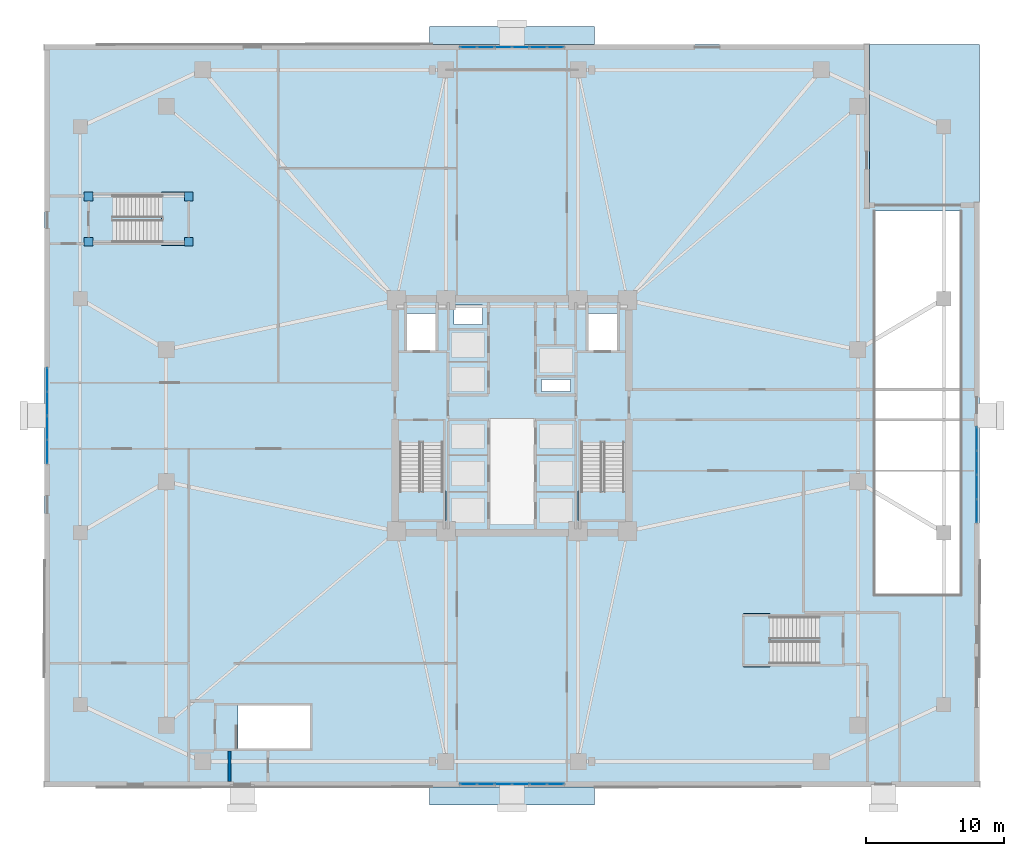
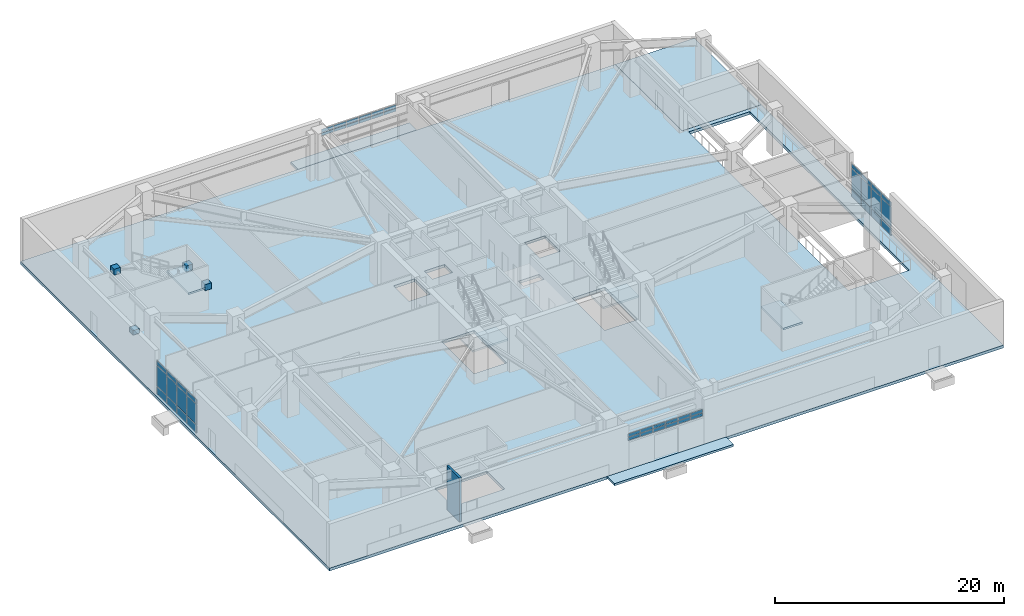
# One storey, part 8 of 21: 52 plates, 8 slabs, 1 wall, 11 elements without a shape of their own.
"""IFC4 building model written with IfcOpenShell, lengths in metres."""

import ifcopenshell
import ifcopenshell.guid

model = None  # the IFC model being written
_history = None  # IfcOwnerHistory: only IFC2X3 demands one
_inside = {}  # id of a spatial element -> (the spatial element, [elements in it])
_under = {}  # id of a project, library or spatial element -> (it, [spatial elements below it])
_declared = {}  # id of a project -> (the project, [libraries it declares])
_typed = {}  # id of a type object -> (the type object, [elements of that type])
_made_of = {}  # id of a material, layer set ... -> (it, [elements and type objects made of it])


def new_model(schema):
    """Start an empty IFC model of exactly this schema.

    Asked for "IFC4X3", IfcOpenShell would pick the latest addendum, in which some entities
    have other attributes; the version numbers below select the first issue.
    IFC2X3 requires an IfcOwnerHistory on every rooted entity: one is made here for all.
    """
    global model, _history
    if schema == "IFC4X3":
        model = ifcopenshell.file(schema_version=(4, 3, 0, 0))
    else:
        model = ifcopenshell.file(schema=schema)
    _inside.clear()
    _under.clear()
    _declared.clear()
    _typed.clear()
    _made_of.clear()
    _history = None
    if model.schema == "IFC2X3":
        org = make("IfcOrganization", Name="unknown")
        user = make(
            "IfcPersonAndOrganization",
            ThePerson=make("IfcPerson", FamilyName="unknown"),
            TheOrganization=org,
        )
        app = make(
            "IfcApplication",
            ApplicationDeveloper=org,
            Version="unknown",
            ApplicationFullName="unknown",
            ApplicationIdentifier="unknown",
        )
        _history = make(
            "IfcOwnerHistory",
            OwningUser=user,
            OwningApplication=app,
            ChangeAction="ADDED",
            CreationDate=0,
        )
    return model


def make(cls, **values):
    """One entity of the class cls with the attributes given. An attribute that is None is left unset."""
    return model.create_entity(
        cls, **{name: value for name, value in values.items() if value is not None}
    )


def rooted(cls, **values):
    """An entity with a GlobalId (a new one), such as an element, a storey or a relation."""
    return make(cls, GlobalId=ifcopenshell.guid.new(), OwnerHistory=_history, **values)


def si_unit(unit_type, name, prefix=None):
    """IfcSIUnit, for example si_unit("LENGTHUNIT", "METRE", prefix="MILLI")."""
    return make("IfcSIUnit", UnitType=unit_type, Prefix=prefix, Name=name)


def assignment(units):
    """IfcUnitAssignment: the units of a project."""
    return None if units is None else make("IfcUnitAssignment", Units=units)


def point(xyz):
    """IfcCartesianPoint."""
    return None if xyz is None else make("IfcCartesianPoint", Coordinates=xyz)


def direction(xyz):
    """IfcDirection."""
    return None if xyz is None else make("IfcDirection", DirectionRatios=xyz)


def frame(location, z_axis=None, x_axis=None):
    """IfcAxis2Placement3D, a coordinate frame: its origin and axes. An axis left out is left unset."""
    return make(
        "IfcAxis2Placement3D",
        Location=point(location),
        Axis=direction(z_axis),
        RefDirection=direction(x_axis),
    )


def frame_2d(location, x_axis=None):
    """IfcAxis2Placement2D, a coordinate frame in the plane: its origin and x axis."""
    return make(
        "IfcAxis2Placement2D", Location=point(location), RefDirection=direction(x_axis)
    )


def origin():
    """The frame at (0, 0, 0) with its axes left unset."""
    return frame((0.0, 0.0, 0.0))


def origin_2d():
    """The frame at (0, 0) in the plane with its x axis left unset."""
    return frame_2d((0.0, 0.0))


def place(relative_to, where):
    """IfcLocalPlacement: puts the frame where relative to a parent placement (None: the world)."""
    return make(
        "IfcLocalPlacement", PlacementRelTo=relative_to, RelativePlacement=where
    )


def context(
    kind, dimensions, precision=None, world=None, true_north=None, identifier=None
):
    """IfcGeometricRepresentationContext, for example the 3D "Model" context."""
    return make(
        "IfcGeometricRepresentationContext",
        ContextIdentifier=identifier,
        ContextType=kind,
        CoordinateSpaceDimension=dimensions,
        Precision=precision,
        WorldCoordinateSystem=world,
        TrueNorth=true_north,
    )


def subcontext(parent, identifier, kind, view, scale=None):
    """IfcGeometricRepresentationSubContext, for example "Body" below "Model"."""
    return make(
        "IfcGeometricRepresentationSubContext",
        ContextIdentifier=identifier,
        ContextType=kind,
        ParentContext=parent,
        TargetScale=scale,
        TargetView=view,
    )


def project(units=None, contexts=None):
    """IfcProject with its units and contexts."""
    return rooted(
        "IfcProject",
        Name="project",
        RepresentationContexts=contexts,
        UnitsInContext=assignment(units),
    )


def spatial(cls, under=None, at=None, **own):
    """A site, building, storey or space (cls), placed at a placement, below another one or the project."""
    s = rooted(cls, ObjectPlacement=at, **own)
    if under is not None:
        _under.setdefault(under.id(), (under, []))[1].append(s)
    return s


def polyline(points):
    """IfcPolyline through the points."""
    return make("IfcPolyline", Points=[point(p) for p in points])


def profile(cls, at=None, kind="AREA", **sizes):
    """A parametric profile (cls). Its sizes go by their IFC names, for example OverallWidth=200.0."""
    return make(cls, ProfileType=kind, Position=at, **sizes)


def rectangle(**sizes):
    """IfcRectangleProfileDef."""
    return profile("IfcRectangleProfileDef", **sizes)


def outline(outer, holes=None, kind="AREA"):
    """IfcArbitraryClosedProfileDef: a profile drawn as a closed curve; with holes, ...WithVoids."""
    if holes is None:
        return make("IfcArbitraryClosedProfileDef", ProfileType=kind, OuterCurve=outer)
    return make(
        "IfcArbitraryProfileDefWithVoids",
        ProfileType=kind,
        OuterCurve=outer,
        InnerCurves=holes,
    )


def extrude(swept, where, along, depth):
    """IfcExtrudedAreaSolid: the profile swept, set in the frame where, extruded along a direction by depth."""
    return make(
        "IfcExtrudedAreaSolid",
        SweptArea=swept,
        Position=where,
        ExtrudedDirection=direction(along),
        Depth=depth,
    )


def shape(context_of_items, identifier, shape_type, items):
    """IfcShapeRepresentation: the items that make up one representation, for example the "Body"."""
    return make(
        "IfcShapeRepresentation",
        ContextOfItems=context_of_items,
        RepresentationIdentifier=identifier,
        RepresentationType=shape_type,
        Items=items,
    )


def material(Name=None, Category=None):
    """IfcMaterial."""
    return make("IfcMaterial", Name=Name, Category=Category)


def layer(
    of_material, thickness, ventilated=None, Name=None, Category=None, Priority=None
):
    """IfcMaterialLayer: one layer of a wall or slab, of a material (None: an air gap)."""
    return make(
        "IfcMaterialLayer",
        Material=of_material,
        LayerThickness=thickness,
        IsVentilated=ventilated,
        Name=Name,
        Category=Category,
        Priority=Priority,
    )


def layer_set(layers, Name=None):
    """IfcMaterialLayerSet."""
    return make("IfcMaterialLayerSet", MaterialLayers=layers, LayerSetName=Name)


def made_of(thing, what):
    """Note that an element or type object is made of a material, layer set ...; save() writes the relation."""
    if what is not None:
        _made_of.setdefault(what.id(), (what, []))[1].append(thing)
    return thing


def type_object(cls, material=None, **own):
    """A type object (cls), such as IfcWallType, which elements share."""
    return made_of(rooted(cls, **own), material)


def element(
    cls,
    number,
    at=None,
    inside=None,
    cuts=None,
    type_object=None,
    material=None,
    context=None,
    identifier="Body",
    shape_type=None,
    held_by="IfcProductDefinitionShape",
    body=None,
    shapes=None,
    **own,
):
    """One element of the class cls, such as IfcWall. Its Tag is "e" and its number.

    at: its placement. inside: the storey or other place that contains it. cuts: it is an
    opening in that element (IfcRelVoidsElement). A single representation is given by context,
    identifier, shape_type and body (its items); several are given by shapes. held_by: the class
    of the entity that holds the representations. save() writes the other relations.
    """
    e = rooted(cls, Tag="e%d" % number, ObjectPlacement=at, **own)
    if body is not None:
        shapes = [shape(context, identifier, shape_type, body)]
    if shapes is not None:
        e.Representation = make(held_by, Representations=shapes)
    if inside is not None:
        _inside.setdefault(inside.id(), (inside, []))[1].append(e)
    if cuts is not None:
        rooted(
            "IfcRelVoidsElement", RelatingBuildingElement=cuts, RelatedOpeningElement=e
        )
    if type_object is not None:
        _typed.setdefault(type_object.id(), (type_object, []))[1].append(e)
    return made_of(e, material)


def aggregate(whole, parts):
    """IfcRelAggregates: a whole, such as a stair, and the parts it consists of."""
    return rooted("IfcRelAggregates", RelatingObject=whole, RelatedObjects=parts)


def save(model, path):
    """Write the relations noted so far, then the file.

    IfcRelAggregates (storeys below a building ...), IfcRelContainedInSpatialStructure (elements
    in a storey), IfcRelDefinesByType, IfcRelAssociatesMaterial and IfcRelDeclares: one each for
    every whole, place, type object, material and project.
    """
    for whole, parts in _under.values():
        aggregate(whole, parts)
    for where, things in _inside.values():
        rooted(
            "IfcRelContainedInSpatialStructure",
            RelatedElements=things,
            RelatingStructure=where,
        )
    for kind, things in _typed.values():
        rooted("IfcRelDefinesByType", RelatedObjects=things, RelatingType=kind)
    for what, things in _made_of.values():
        rooted("IfcRelAssociatesMaterial", RelatedObjects=things, RelatingMaterial=what)
    for by, libraries in _declared.values():
        rooted("IfcRelDeclares", RelatingContext=by, RelatedDefinitions=libraries)
    model.write(path)


model = new_model("IFC4")

# Units and contexts
model_context = context("Model", 3, precision=1e-05, world=origin(), true_north=direction((0.0, 1.0)))
body_context = subcontext(model_context, "Body", "Model", "MODEL_VIEW")
ifc_project = project(units=[si_unit("LENGTHUNIT", "METRE"), si_unit("AREAUNIT", "SQUARE_METRE"), si_unit("VOLUMEUNIT", "CUBIC_METRE"), si_unit("PLANEANGLEUNIT", "RADIAN"), si_unit("MASSUNIT", "GRAM", prefix="KILO")], contexts=[model_context])

# Site, building, storey
site_placement = place(None, origin())
site = spatial("IfcSite", under=ifc_project, at=site_placement, CompositionType="ELEMENT")
building_placement = place(site_placement, origin())
building = spatial("IfcBuilding", under=site, at=building_placement, Name="Cairnveth Concourse Tower", CompositionType="ELEMENT")
storey_placement = place(building_placement, origin())
storey = spatial("IfcBuildingStorey", under=building, at=storey_placement, Name="L00", CompositionType="ELEMENT", Elevation=0.0)

# Curtain wall, plates
ifc_material_1 = material(Name="Architectural Bronze Anodised Aluminium 6063-T6", Category="aluminium")
ifc_layer_1 = layer(ifc_material_1, 0.360107421875)
ifc_layer_set_1 = layer_set([ifc_layer_1], Name="Architectural Bronze Anodised Aluminium 6063-T6")
curtain_wall_type_1 = type_object("IfcCurtainWallType", Name="CONCOURSE GALLERIA PORTAL CURTAIN WALL", PredefinedType="USERDEFINED", material=ifc_layer_set_1)
curtain_wall_1_placement = place(storey_placement, origin())
curtain_wall_1 = element("IfcCurtainWall", 1, at=curtain_wall_1_placement, inside=storey, type_object=curtain_wall_type_1, Name="Curtain Wall CW-L00-N-PORTAL1", ObjectType="UNITISED FACADE", PredefinedType="USERDEFINED")
ifc_material_2 = material(Name="Double Glazed Low-E Clear Glass", Category="glass")
ifc_layer_2 = layer(ifc_material_2, 0.028076171875)
ifc_layer_set_2 = layer_set([ifc_layer_2], Name="Double Glazed Low-E Clear Glass")
plate_type_1 = type_object("IfcPlateType", Name="DOUBLE GLAZED LOW-E CURTAIN PANEL 28", PredefinedType="CURTAIN_PANEL", material=ifc_layer_set_2)
plate_1_placement = place(storey_placement, frame((48.839599609375, 65.7900390625, 2.9150390625), z_axis=(0.0, 0.0, 1.0), x_axis=(1.0, 0.0, 0.0)))
plate_1 = element("IfcPlate", 2, at=plate_1_placement, type_object=plate_type_1, Name="CWS1 panel 1.1", PredefinedType="CURTAIN_PANEL", context=body_context, shape_type="SweptSolid", body=[
    extrude(rectangle(XDim=1.17919921875, YDim=0.028076171875, at=origin_2d()), origin(), (0.0, 0.0, 1.0), 0.3154296875),
])
plate_2_placement = place(storey_placement, frame((48.839599609375, 65.7900390625, 3.295654296875), z_axis=(0.0, 0.0, 1.0), x_axis=(1.0, 0.0, 0.0)))
plate_2 = element("IfcPlate", 3, at=plate_2_placement, type_object=plate_type_1, Name="CWS1 panel 1.2", PredefinedType="CURTAIN_PANEL", context=body_context, shape_type="SweptSolid", body=[
    extrude(rectangle(XDim=1.17919921875, YDim=0.028076171875, at=origin_2d()), origin(), (0.0, 0.0, 1.0), 0.3154296875),
])
plate_3_placement = place(storey_placement, frame((50.10009765625, 65.7900390625, 2.9150390625), z_axis=(0.0, 0.0, 1.0), x_axis=(1.0, 0.0, 0.0)))
plate_3 = element("IfcPlate", 4, at=plate_3_placement, type_object=plate_type_1, Name="CWS1 panel 2.1", PredefinedType="CURTAIN_PANEL", context=body_context, shape_type="SweptSolid", body=[
    extrude(rectangle(XDim=1.211669921875, YDim=0.028076171875, at=origin_2d()), origin(), (0.0, 0.0, 1.0), 0.3154296875),
])
plate_4_placement = place(storey_placement, frame((50.10009765625, 65.7900390625, 3.295654296875), z_axis=(0.0, 0.0, 1.0), x_axis=(1.0, 0.0, 0.0)))
plate_4 = element("IfcPlate", 5, at=plate_4_placement, type_object=plate_type_1, Name="CWS1 panel 2.2", PredefinedType="CURTAIN_PANEL", context=body_context, shape_type="SweptSolid", body=[
    extrude(rectangle(XDim=1.211669921875, YDim=0.028076171875, at=origin_2d()), origin(), (0.0, 0.0, 1.0), 0.3154296875),
])
plate_5_placement = place(storey_placement, frame((51.3603515625, 65.7900390625, 2.9150390625), z_axis=(0.0, 0.0, 1.0), x_axis=(1.0, 0.0, 0.0)))
plate_5 = element("IfcPlate", 6, at=plate_5_placement, type_object=plate_type_1, Name="CWS1 panel 3.1", PredefinedType="CURTAIN_PANEL", context=body_context, shape_type="SweptSolid", body=[
    extrude(rectangle(XDim=1.17919921875, YDim=0.028076171875, at=origin_2d()), origin(), (0.0, 0.0, 1.0), 0.3154296875),
])
plate_6_placement = place(storey_placement, frame((51.3603515625, 65.7900390625, 3.295654296875), z_axis=(0.0, 0.0, 1.0), x_axis=(1.0, 0.0, 0.0)))
plate_6 = element("IfcPlate", 7, at=plate_6_placement, type_object=plate_type_1, Name="CWS1 panel 3.2", PredefinedType="CURTAIN_PANEL", context=body_context, shape_type="SweptSolid", body=[
    extrude(rectangle(XDim=1.17919921875, YDim=0.028076171875, at=origin_2d()), origin(), (0.0, 0.0, 1.0), 0.3154296875),
])
aggregate(curtain_wall_1, [plate_1, plate_2, plate_3, plate_4, plate_5, plate_6])

curtain_wall_2_placement = place(storey_placement, origin())
curtain_wall_2 = element("IfcCurtainWall", 8, at=curtain_wall_2_placement, inside=storey, type_object=curtain_wall_type_1, Name="Curtain Wall CW-L00-N-PORTAL2", ObjectType="UNITISED FACADE", PredefinedType="USERDEFINED")
plate_7_placement = place(storey_placement, frame((52.6396484375, 65.7900390625, 2.9150390625), z_axis=(0.0, 0.0, 1.0), x_axis=(1.0, 0.0, 0.0)))
plate_7 = element("IfcPlate", 9, at=plate_7_placement, type_object=plate_type_1, Name="CWS1 panel 1.1", PredefinedType="CURTAIN_PANEL", context=body_context, shape_type="SweptSolid", body=[
    extrude(rectangle(XDim=1.17919921875, YDim=0.028076171875, at=origin_2d()), origin(), (0.0, 0.0, 1.0), 0.3154296875),
])
plate_8_placement = place(storey_placement, frame((52.6396484375, 65.7900390625, 3.295654296875), z_axis=(0.0, 0.0, 1.0), x_axis=(1.0, 0.0, 0.0)))
plate_8 = element("IfcPlate", 10, at=plate_8_placement, type_object=plate_type_1, Name="CWS1 panel 1.2", PredefinedType="CURTAIN_PANEL", context=body_context, shape_type="SweptSolid", body=[
    extrude(rectangle(XDim=1.17919921875, YDim=0.028076171875, at=origin_2d()), origin(), (0.0, 0.0, 1.0), 0.3154296875),
])
plate_9_placement = place(storey_placement, frame((53.89990234375, 65.7900390625, 2.9150390625), z_axis=(0.0, 0.0, 1.0), x_axis=(1.0, 0.0, 0.0)))
plate_9 = element("IfcPlate", 11, at=plate_9_placement, type_object=plate_type_1, Name="CWS1 panel 2.1", PredefinedType="CURTAIN_PANEL", context=body_context, shape_type="SweptSolid", body=[
    extrude(rectangle(XDim=1.211669921875, YDim=0.028076171875, at=origin_2d()), origin(), (0.0, 0.0, 1.0), 0.3154296875),
])
plate_10_placement = place(storey_placement, frame((53.89990234375, 65.7900390625, 3.295654296875), z_axis=(0.0, 0.0, 1.0), x_axis=(1.0, 0.0, 0.0)))
plate_10 = element("IfcPlate", 12, at=plate_10_placement, type_object=plate_type_1, Name="CWS1 panel 2.2", PredefinedType="CURTAIN_PANEL", context=body_context, shape_type="SweptSolid", body=[
    extrude(rectangle(XDim=1.211669921875, YDim=0.028076171875, at=origin_2d()), origin(), (0.0, 0.0, 1.0), 0.3154296875),
])
plate_11_placement = place(storey_placement, frame((55.160400390625, 65.7900390625, 2.9150390625), z_axis=(0.0, 0.0, 1.0), x_axis=(1.0, 0.0, 0.0)))
plate_11 = element("IfcPlate", 13, at=plate_11_placement, type_object=plate_type_1, Name="CWS1 panel 3.1", PredefinedType="CURTAIN_PANEL", context=body_context, shape_type="SweptSolid", body=[
    extrude(rectangle(XDim=1.17919921875, YDim=0.028076171875, at=origin_2d()), origin(), (0.0, 0.0, 1.0), 0.3154296875),
])
plate_12_placement = place(storey_placement, frame((55.160400390625, 65.7900390625, 3.295654296875), z_axis=(0.0, 0.0, 1.0), x_axis=(1.0, 0.0, 0.0)))
plate_12 = element("IfcPlate", 14, at=plate_12_placement, type_object=plate_type_1, Name="CWS1 panel 3.2", PredefinedType="CURTAIN_PANEL", context=body_context, shape_type="SweptSolid", body=[
    extrude(rectangle(XDim=1.17919921875, YDim=0.028076171875, at=origin_2d()), origin(), (0.0, 0.0, 1.0), 0.3154296875),
])
aggregate(curtain_wall_2, [plate_7, plate_8, plate_9, plate_10, plate_11, plate_12])

ifc_layer_3 = layer(ifc_material_1, 0.340087890625)
ifc_layer_set_3 = layer_set([ifc_layer_3], Name="Architectural Bronze Anodised Aluminium 6063-T6")
curtain_wall_type_2 = type_object("IfcCurtainWallType", Name="PODIUM RETAIL SHOPFRONT CURTAIN WALL", PredefinedType="USERDEFINED", material=ifc_layer_set_3)
curtain_wall_3_placement = place(storey_placement, origin())
curtain_wall_3 = element("IfcCurtainWall", 15, at=curtain_wall_3_placement, inside=storey, type_object=curtain_wall_type_2, Name="Curtain Wall CW-L00-E-SHOP1", ObjectType="SHOPFRONT GLAZING", PredefinedType="USERDEFINED")
plate_13_placement = place(storey_placement, frame((85.7900390625, 37.320068359375, 0.06494140625), z_axis=(0.0, 0.0, 1.0), x_axis=(0.0, -1.0, 0.0)))
plate_13 = element("IfcPlate", 16, at=plate_13_placement, type_object=plate_type_1, Name="CWS2 panel 1.1", PredefinedType="CURTAIN_PANEL", context=body_context, shape_type="SweptSolid", body=[
    extrude(rectangle(XDim=1.659912109375, YDim=0.028076171875, at=origin_2d()), origin(), (0.0, 0.0, 1.0), 0.802490234375),
])
plate_14_placement = place(storey_placement, frame((85.7900390625, 37.320068359375, 0.9326171875), z_axis=(0.0, 0.0, 1.0), x_axis=(0.0, -1.0, 0.0)))
plate_14 = element("IfcPlate", 17, at=plate_14_placement, type_object=plate_type_1, Name="CWS2 panel 1.2", PredefinedType="CURTAIN_PANEL", context=body_context, shape_type="SweptSolid", body=[
    extrude(rectangle(XDim=1.659912109375, YDim=0.028076171875, at=origin_2d()), origin(), (0.0, 0.0, 1.0), 2.160888671875),
])
plate_15_placement = place(storey_placement, frame((85.7900390625, 37.320068359375, 3.15869140625), z_axis=(0.0, 0.0, 1.0), x_axis=(0.0, -1.0, 0.0)))
plate_15 = element("IfcPlate", 18, at=plate_15_placement, type_object=plate_type_1, Name="CWS2 panel 1.3", PredefinedType="CURTAIN_PANEL", context=body_context, shape_type="SweptSolid", body=[
    extrude(rectangle(XDim=1.659912109375, YDim=0.028076171875, at=origin_2d()), origin(), (0.0, 0.0, 1.0), 0.452392578125),
])
plate_16_placement = place(storey_placement, frame((85.7900390625, 35.578857421875, 0.06494140625), z_axis=(0.0, 0.0, 1.0), x_axis=(0.0, -1.0, 0.0)))
plate_16 = element("IfcPlate", 19, at=plate_16_placement, type_object=plate_type_1, Name="CWS2 panel 2.1", PredefinedType="CURTAIN_PANEL", context=body_context, shape_type="SweptSolid", body=[
    extrude(rectangle(XDim=1.6923828125, YDim=0.028076171875, at=origin_2d()), origin(), (0.0, 0.0, 1.0), 0.802490234375),
])
plate_17_placement = place(storey_placement, frame((85.7900390625, 35.578857421875, 0.9326171875), z_axis=(0.0, 0.0, 1.0), x_axis=(0.0, -1.0, 0.0)))
plate_17 = element("IfcPlate", 20, at=plate_17_placement, type_object=plate_type_1, Name="CWS2 panel 2.2", PredefinedType="CURTAIN_PANEL", context=body_context, shape_type="SweptSolid", body=[
    extrude(rectangle(XDim=1.6923828125, YDim=0.028076171875, at=origin_2d()), origin(), (0.0, 0.0, 1.0), 2.160888671875),
])
plate_18_placement = place(storey_placement, frame((85.7900390625, 35.578857421875, 3.15869140625), z_axis=(0.0, 0.0, 1.0), x_axis=(0.0, -1.0, 0.0)))
plate_18 = element("IfcPlate", 21, at=plate_18_placement, type_object=plate_type_1, Name="CWS2 panel 2.3", PredefinedType="CURTAIN_PANEL", context=body_context, shape_type="SweptSolid", body=[
    extrude(rectangle(XDim=1.6923828125, YDim=0.028076171875, at=origin_2d()), origin(), (0.0, 0.0, 1.0), 0.452392578125),
])
plate_19_placement = place(storey_placement, frame((85.7900390625, 33.8212890625, 0.06494140625), z_axis=(0.0, 0.0, 1.0), x_axis=(0.0, -1.0, 0.0)))
plate_19 = element("IfcPlate", 22, at=plate_19_placement, type_object=plate_type_1, Name="CWS2 panel 3.1", PredefinedType="CURTAIN_PANEL", context=body_context, shape_type="SweptSolid", body=[
    extrude(rectangle(XDim=1.6923828125, YDim=0.028076171875, at=origin_2d()), origin(), (0.0, 0.0, 1.0), 0.802490234375),
])
plate_20_placement = place(storey_placement, frame((85.7900390625, 33.8212890625, 0.9326171875), z_axis=(0.0, 0.0, 1.0), x_axis=(0.0, -1.0, 0.0)))
plate_20 = element("IfcPlate", 23, at=plate_20_placement, type_object=plate_type_1, Name="CWS2 panel 3.2", PredefinedType="CURTAIN_PANEL", context=body_context, shape_type="SweptSolid", body=[
    extrude(rectangle(XDim=1.6923828125, YDim=0.028076171875, at=origin_2d()), origin(), (0.0, 0.0, 1.0), 2.160888671875),
])
plate_21_placement = place(storey_placement, frame((85.7900390625, 33.8212890625, 3.15869140625), z_axis=(0.0, 0.0, 1.0), x_axis=(0.0, -1.0, 0.0)))
plate_21 = element("IfcPlate", 24, at=plate_21_placement, type_object=plate_type_1, Name="CWS2 panel 3.3", PredefinedType="CURTAIN_PANEL", context=body_context, shape_type="SweptSolid", body=[
    extrude(rectangle(XDim=1.6923828125, YDim=0.028076171875, at=origin_2d()), origin(), (0.0, 0.0, 1.0), 0.452392578125),
])
plate_22_placement = place(storey_placement, frame((85.7900390625, 32.080078125, 0.06494140625), z_axis=(0.0, 0.0, 1.0), x_axis=(0.0, -1.0, 0.0)))
plate_22 = element("IfcPlate", 25, at=plate_22_placement, type_object=plate_type_1, Name="CWS2 panel 4.1", PredefinedType="CURTAIN_PANEL", context=body_context, shape_type="SweptSolid", body=[
    extrude(rectangle(XDim=1.659912109375, YDim=0.028076171875, at=origin_2d()), origin(), (0.0, 0.0, 1.0), 0.802490234375),
])
plate_23_placement = place(storey_placement, frame((85.7900390625, 32.080078125, 0.9326171875), z_axis=(0.0, 0.0, 1.0), x_axis=(0.0, -1.0, 0.0)))
plate_23 = element("IfcPlate", 26, at=plate_23_placement, type_object=plate_type_1, Name="CWS2 panel 4.2", PredefinedType="CURTAIN_PANEL", context=body_context, shape_type="SweptSolid", body=[
    extrude(rectangle(XDim=1.659912109375, YDim=0.028076171875, at=origin_2d()), origin(), (0.0, 0.0, 1.0), 2.160888671875),
])
plate_24_placement = place(storey_placement, frame((85.7900390625, 32.080078125, 3.15869140625), z_axis=(0.0, 0.0, 1.0), x_axis=(0.0, -1.0, 0.0)))
plate_24 = element("IfcPlate", 27, at=plate_24_placement, type_object=plate_type_1, Name="CWS2 panel 4.3", PredefinedType="CURTAIN_PANEL", context=body_context, shape_type="SweptSolid", body=[
    extrude(rectangle(XDim=1.659912109375, YDim=0.028076171875, at=origin_2d()), origin(), (0.0, 0.0, 1.0), 0.452392578125),
])
aggregate(curtain_wall_3, [plate_13, plate_14, plate_15, plate_16, plate_17, plate_18, plate_19, plate_20, plate_21, plate_22, plate_23, plate_24])

curtain_wall_4_placement = place(storey_placement, origin())
curtain_wall_4 = element("IfcCurtainWall", 28, at=curtain_wall_4_placement, inside=storey, type_object=curtain_wall_type_1, Name="Curtain Wall CW-L00-S-PORTAL1", ObjectType="UNITISED FACADE", PredefinedType="USERDEFINED")
plate_25_placement = place(storey_placement, frame((55.160400390625, 12.2099609375, 2.9150390625), z_axis=(0.0, 0.0, 1.0), x_axis=(-1.0, 0.0, 0.0)))
plate_25 = element("IfcPlate", 29, at=plate_25_placement, type_object=plate_type_1, Name="CWS1 panel 1.1", PredefinedType="CURTAIN_PANEL", context=body_context, shape_type="SweptSolid", body=[
    extrude(rectangle(XDim=1.17919921875, YDim=0.028076171875, at=origin_2d()), origin(), (0.0, 0.0, 1.0), 0.3154296875),
])
plate_26_placement = place(storey_placement, frame((55.160400390625, 12.2099609375, 3.295654296875), z_axis=(0.0, 0.0, 1.0), x_axis=(-1.0, 0.0, 0.0)))
plate_26 = element("IfcPlate", 30, at=plate_26_placement, type_object=plate_type_1, Name="CWS1 panel 1.2", PredefinedType="CURTAIN_PANEL", context=body_context, shape_type="SweptSolid", body=[
    extrude(rectangle(XDim=1.17919921875, YDim=0.028076171875, at=origin_2d()), origin(), (0.0, 0.0, 1.0), 0.3154296875),
])
plate_27_placement = place(storey_placement, frame((53.89990234375, 12.2099609375, 2.9150390625), z_axis=(0.0, 0.0, 1.0), x_axis=(-1.0, 0.0, 0.0)))
plate_27 = element("IfcPlate", 31, at=plate_27_placement, type_object=plate_type_1, Name="CWS1 panel 2.1", PredefinedType="CURTAIN_PANEL", context=body_context, shape_type="SweptSolid", body=[
    extrude(rectangle(XDim=1.211669921875, YDim=0.028076171875, at=origin_2d()), origin(), (0.0, 0.0, 1.0), 0.3154296875),
])
plate_28_placement = place(storey_placement, frame((53.89990234375, 12.2099609375, 3.295654296875), z_axis=(0.0, 0.0, 1.0), x_axis=(-1.0, 0.0, 0.0)))
plate_28 = element("IfcPlate", 32, at=plate_28_placement, type_object=plate_type_1, Name="CWS1 panel 2.2", PredefinedType="CURTAIN_PANEL", context=body_context, shape_type="SweptSolid", body=[
    extrude(rectangle(XDim=1.211669921875, YDim=0.028076171875, at=origin_2d()), origin(), (0.0, 0.0, 1.0), 0.3154296875),
])
plate_29_placement = place(storey_placement, frame((52.6396484375, 12.2099609375, 2.9150390625), z_axis=(0.0, 0.0, 1.0), x_axis=(-1.0, 0.0, 0.0)))
plate_29 = element("IfcPlate", 33, at=plate_29_placement, type_object=plate_type_1, Name="CWS1 panel 3.1", PredefinedType="CURTAIN_PANEL", context=body_context, shape_type="SweptSolid", body=[
    extrude(rectangle(XDim=1.17919921875, YDim=0.028076171875, at=origin_2d()), origin(), (0.0, 0.0, 1.0), 0.3154296875),
])
plate_30_placement = place(storey_placement, frame((52.6396484375, 12.2099609375, 3.295654296875), z_axis=(0.0, 0.0, 1.0), x_axis=(-1.0, 0.0, 0.0)))
plate_30 = element("IfcPlate", 34, at=plate_30_placement, type_object=plate_type_1, Name="CWS1 panel 3.2", PredefinedType="CURTAIN_PANEL", context=body_context, shape_type="SweptSolid", body=[
    extrude(rectangle(XDim=1.17919921875, YDim=0.028076171875, at=origin_2d()), origin(), (0.0, 0.0, 1.0), 0.3154296875),
])
aggregate(curtain_wall_4, [plate_25, plate_26, plate_27, plate_28, plate_29, plate_30])

curtain_wall_5_placement = place(storey_placement, origin())
curtain_wall_5 = element("IfcCurtainWall", 35, at=curtain_wall_5_placement, inside=storey, type_object=curtain_wall_type_1, Name="Curtain Wall CW-L00-S-PORTAL2", ObjectType="UNITISED FACADE", PredefinedType="USERDEFINED")
plate_31_placement = place(storey_placement, frame((51.3603515625, 12.2099609375, 2.9150390625), z_axis=(0.0, 0.0, 1.0), x_axis=(-1.0, 0.0, 0.0)))
plate_31 = element("IfcPlate", 36, at=plate_31_placement, type_object=plate_type_1, Name="CWS1 panel 1.1", PredefinedType="CURTAIN_PANEL", context=body_context, shape_type="SweptSolid", body=[
    extrude(rectangle(XDim=1.17919921875, YDim=0.028076171875, at=origin_2d()), origin(), (0.0, 0.0, 1.0), 0.3154296875),
])
plate_32_placement = place(storey_placement, frame((51.3603515625, 12.2099609375, 3.295654296875), z_axis=(0.0, 0.0, 1.0), x_axis=(-1.0, 0.0, 0.0)))
plate_32 = element("IfcPlate", 37, at=plate_32_placement, type_object=plate_type_1, Name="CWS1 panel 1.2", PredefinedType="CURTAIN_PANEL", context=body_context, shape_type="SweptSolid", body=[
    extrude(rectangle(XDim=1.17919921875, YDim=0.028076171875, at=origin_2d()), origin(), (0.0, 0.0, 1.0), 0.3154296875),
])
plate_33_placement = place(storey_placement, frame((50.10009765625, 12.2099609375, 2.9150390625), z_axis=(0.0, 0.0, 1.0), x_axis=(-1.0, 0.0, 0.0)))
plate_33 = element("IfcPlate", 38, at=plate_33_placement, type_object=plate_type_1, Name="CWS1 panel 2.1", PredefinedType="CURTAIN_PANEL", context=body_context, shape_type="SweptSolid", body=[
    extrude(rectangle(XDim=1.211669921875, YDim=0.028076171875, at=origin_2d()), origin(), (0.0, 0.0, 1.0), 0.3154296875),
])
plate_34_placement = place(storey_placement, frame((50.10009765625, 12.2099609375, 3.295654296875), z_axis=(0.0, 0.0, 1.0), x_axis=(-1.0, 0.0, 0.0)))
plate_34 = element("IfcPlate", 39, at=plate_34_placement, type_object=plate_type_1, Name="CWS1 panel 2.2", PredefinedType="CURTAIN_PANEL", context=body_context, shape_type="SweptSolid", body=[
    extrude(rectangle(XDim=1.211669921875, YDim=0.028076171875, at=origin_2d()), origin(), (0.0, 0.0, 1.0), 0.3154296875),
])
plate_35_placement = place(storey_placement, frame((48.839599609375, 12.2099609375, 2.9150390625), z_axis=(0.0, 0.0, 1.0), x_axis=(-1.0, 0.0, 0.0)))
plate_35 = element("IfcPlate", 40, at=plate_35_placement, type_object=plate_type_1, Name="CWS1 panel 3.1", PredefinedType="CURTAIN_PANEL", context=body_context, shape_type="SweptSolid", body=[
    extrude(rectangle(XDim=1.17919921875, YDim=0.028076171875, at=origin_2d()), origin(), (0.0, 0.0, 1.0), 0.3154296875),
])
plate_36_placement = place(storey_placement, frame((48.839599609375, 12.2099609375, 3.295654296875), z_axis=(0.0, 0.0, 1.0), x_axis=(-1.0, 0.0, 0.0)))
plate_36 = element("IfcPlate", 41, at=plate_36_placement, type_object=plate_type_1, Name="CWS1 panel 3.2", PredefinedType="CURTAIN_PANEL", context=body_context, shape_type="SweptSolid", body=[
    extrude(rectangle(XDim=1.17919921875, YDim=0.028076171875, at=origin_2d()), origin(), (0.0, 0.0, 1.0), 0.3154296875),
])
aggregate(curtain_wall_5, [plate_31, plate_32, plate_33, plate_34, plate_35, plate_36])

curtain_wall_6_placement = place(storey_placement, origin())
curtain_wall_6 = element("IfcCurtainWall", 42, at=curtain_wall_6_placement, inside=storey, type_object=curtain_wall_type_2, Name="Curtain Wall CW-L00-W-SHOP1", ObjectType="SHOPFRONT GLAZING", PredefinedType="USERDEFINED")
plate_37_placement = place(storey_placement, frame((18.2099609375, 36.3837890625, 0.06494140625), z_axis=(0.0, 0.0, 1.0), x_axis=(0.0, 1.0, 0.0)))
plate_37 = element("IfcPlate", 43, at=plate_37_placement, type_object=plate_type_1, Name="CWS2 panel 1.1", PredefinedType="CURTAIN_PANEL", context=body_context, shape_type="SweptSolid", body=[
    extrude(rectangle(XDim=1.66748046875, YDim=0.028076171875, at=origin_2d()), origin(), (0.0, 0.0, 1.0), 0.802490234375),
])
plate_38_placement = place(storey_placement, frame((18.2099609375, 36.3837890625, 0.9326171875), z_axis=(0.0, 0.0, 1.0), x_axis=(0.0, 1.0, 0.0)))
plate_38 = element("IfcPlate", 44, at=plate_38_placement, type_object=plate_type_1, Name="CWS2 panel 1.2", PredefinedType="CURTAIN_PANEL", context=body_context, shape_type="SweptSolid", body=[
    extrude(rectangle(XDim=1.66748046875, YDim=0.028076171875, at=origin_2d()), origin(), (0.0, 0.0, 1.0), 2.160888671875),
])
plate_39_placement = place(storey_placement, frame((18.2099609375, 36.3837890625, 3.15869140625), z_axis=(0.0, 0.0, 1.0), x_axis=(0.0, 1.0, 0.0)))
plate_39 = element("IfcPlate", 45, at=plate_39_placement, type_object=plate_type_1, Name="CWS2 panel 1.3", PredefinedType="CURTAIN_PANEL", context=body_context, shape_type="SweptSolid", body=[
    extrude(rectangle(XDim=1.66748046875, YDim=0.028076171875, at=origin_2d()), origin(), (0.0, 0.0, 1.0), 0.452392578125),
])
plate_40_placement = place(storey_placement, frame((18.2099609375, 38.1162109375, 0.06494140625), z_axis=(0.0, 0.0, 1.0), x_axis=(0.0, 1.0, 0.0)))
plate_40 = element("IfcPlate", 46, at=plate_40_placement, type_object=plate_type_1, Name="CWS2 panel 2.1", PredefinedType="CURTAIN_PANEL", context=body_context, shape_type="SweptSolid", body=[
    extrude(rectangle(XDim=1.66748046875, YDim=0.028076171875, at=origin_2d()), origin(), (0.0, 0.0, 1.0), 0.802490234375),
])
plate_41_placement = place(storey_placement, frame((18.2099609375, 38.1162109375, 0.9326171875), z_axis=(0.0, 0.0, 1.0), x_axis=(0.0, 1.0, 0.0)))
plate_41 = element("IfcPlate", 47, at=plate_41_placement, type_object=plate_type_1, Name="CWS2 panel 2.2", PredefinedType="CURTAIN_PANEL", context=body_context, shape_type="SweptSolid", body=[
    extrude(rectangle(XDim=1.66748046875, YDim=0.028076171875, at=origin_2d()), origin(), (0.0, 0.0, 1.0), 2.160888671875),
])
plate_42_placement = place(storey_placement, frame((18.2099609375, 38.1162109375, 3.15869140625), z_axis=(0.0, 0.0, 1.0), x_axis=(0.0, 1.0, 0.0)))
plate_42 = element("IfcPlate", 48, at=plate_42_placement, type_object=plate_type_1, Name="CWS2 panel 2.3", PredefinedType="CURTAIN_PANEL", context=body_context, shape_type="SweptSolid", body=[
    extrude(rectangle(XDim=1.66748046875, YDim=0.028076171875, at=origin_2d()), origin(), (0.0, 0.0, 1.0), 0.452392578125),
])
aggregate(curtain_wall_6, [plate_37, plate_38, plate_39, plate_40, plate_41, plate_42])

curtain_wall_7_placement = place(storey_placement, origin())
curtain_wall_7 = element("IfcCurtainWall", 49, at=curtain_wall_7_placement, inside=storey, type_object=curtain_wall_type_2, Name="Curtain Wall CW-L00-W-SHOP2", ObjectType="SHOPFRONT GLAZING", PredefinedType="USERDEFINED")
plate_43_placement = place(storey_placement, frame((18.2099609375, 39.8837890625, 0.06494140625), z_axis=(0.0, 0.0, 1.0), x_axis=(0.0, 1.0, 0.0)))
plate_43 = element("IfcPlate", 50, at=plate_43_placement, type_object=plate_type_1, Name="CWS2 panel 1.1", PredefinedType="CURTAIN_PANEL", context=body_context, shape_type="SweptSolid", body=[
    extrude(rectangle(XDim=1.66748046875, YDim=0.028076171875, at=origin_2d()), origin(), (0.0, 0.0, 1.0), 0.802490234375),
])
plate_44_placement = place(storey_placement, frame((18.2099609375, 39.8837890625, 0.9326171875), z_axis=(0.0, 0.0, 1.0), x_axis=(0.0, 1.0, 0.0)))
plate_44 = element("IfcPlate", 51, at=plate_44_placement, type_object=plate_type_1, Name="CWS2 panel 1.2", PredefinedType="CURTAIN_PANEL", context=body_context, shape_type="SweptSolid", body=[
    extrude(rectangle(XDim=1.66748046875, YDim=0.028076171875, at=origin_2d()), origin(), (0.0, 0.0, 1.0), 2.160888671875),
])
plate_45_placement = place(storey_placement, frame((18.2099609375, 39.8837890625, 3.15869140625), z_axis=(0.0, 0.0, 1.0), x_axis=(0.0, 1.0, 0.0)))
plate_45 = element("IfcPlate", 52, at=plate_45_placement, type_object=plate_type_1, Name="CWS2 panel 1.3", PredefinedType="CURTAIN_PANEL", context=body_context, shape_type="SweptSolid", body=[
    extrude(rectangle(XDim=1.66748046875, YDim=0.028076171875, at=origin_2d()), origin(), (0.0, 0.0, 1.0), 0.452392578125),
])
plate_46_placement = place(storey_placement, frame((18.2099609375, 41.6162109375, 0.06494140625), z_axis=(0.0, 0.0, 1.0), x_axis=(0.0, 1.0, 0.0)))
plate_46 = element("IfcPlate", 53, at=plate_46_placement, type_object=plate_type_1, Name="CWS2 panel 2.1", PredefinedType="CURTAIN_PANEL", context=body_context, shape_type="SweptSolid", body=[
    extrude(rectangle(XDim=1.66748046875, YDim=0.028076171875, at=origin_2d()), origin(), (0.0, 0.0, 1.0), 0.802490234375),
])
plate_47_placement = place(storey_placement, frame((18.2099609375, 41.6162109375, 0.9326171875), z_axis=(0.0, 0.0, 1.0), x_axis=(0.0, 1.0, 0.0)))
plate_47 = element("IfcPlate", 54, at=plate_47_placement, type_object=plate_type_1, Name="CWS2 panel 2.2", PredefinedType="CURTAIN_PANEL", context=body_context, shape_type="SweptSolid", body=[
    extrude(rectangle(XDim=1.66748046875, YDim=0.028076171875, at=origin_2d()), origin(), (0.0, 0.0, 1.0), 2.160888671875),
])
plate_48_placement = place(storey_placement, frame((18.2099609375, 41.6162109375, 3.15869140625), z_axis=(0.0, 0.0, 1.0), x_axis=(0.0, 1.0, 0.0)))
plate_48 = element("IfcPlate", 55, at=plate_48_placement, type_object=plate_type_1, Name="CWS2 panel 2.3", PredefinedType="CURTAIN_PANEL", context=body_context, shape_type="SweptSolid", body=[
    extrude(rectangle(XDim=1.66748046875, YDim=0.028076171875, at=origin_2d()), origin(), (0.0, 0.0, 1.0), 0.452392578125),
])
aggregate(curtain_wall_7, [plate_43, plate_44, plate_45, plate_46, plate_47, plate_48])

# Slabs
ifc_material_3 = material(Name="Concrete N40 (40 MPa)", Category="concrete")
ifc_layer_4 = layer(ifc_material_3, 0.22998046875)
ifc_layer_set_4 = layer_set([ifc_layer_4], Name="Concrete N40 (40 MPa)")
slab_type_1 = type_object("IfcSlabType", Name="DRIVEWAY PAVING APRON SLAB 230", PredefinedType="USERDEFINED", material=ifc_layer_set_4)
slab_1_placement = place(storey_placement, frame((0.0, 0.0, -0.22998046875)))
element("IfcSlab", 56, at=slab_1_placement, inside=storey, type_object=slab_type_1, Name="North-East Vehicle Driveway Paving Apron", ObjectType="PAVING", PredefinedType="USERDEFINED", context=body_context, shape_type="SweptSolid", body=[
    extrude(outline(polyline([(78.0, 54.300048828125), (86.0, 54.300048828125), (86.0, 66.0), (78.0, 66.0), (78.0, 54.300048828125)])), origin(), (0.0, 0.0, 1.0), 0.22998046875),
])
slab_2_placement = place(storey_placement, frame((0.0, 0.0, -0.22998046875)))
element("IfcSlab", 57, at=slab_2_placement, inside=storey, type_object=slab_type_1, Name="West Street Concourse Forecourt Paving Plinth", ObjectType="PAVING", PredefinedType="USERDEFINED", context=body_context, shape_type="SweptSolid", body=[
    extrude(outline(polyline([(46.0, 10.699951171875), (58.0, 10.699951171875), (58.0, 12.0), (46.0, 12.0), (46.0, 10.699951171875)])), origin(), (0.0, 0.0, 1.0), 0.22998046875),
])
slab_3_placement = place(storey_placement, frame((0.0, 0.0, -0.22998046875)))
element("IfcSlab", 58, at=slab_3_placement, inside=storey, type_object=slab_type_1, Name="East Street Concourse Forecourt Paving Plinth", ObjectType="PAVING", PredefinedType="USERDEFINED", context=body_context, shape_type="SweptSolid", body=[
    extrude(outline(polyline([(46.0, 66.0), (58.0, 66.0), (58.0, 67.300048828125), (46.0, 67.300048828125), (46.0, 66.0)])), origin(), (0.0, 0.0, 1.0), 0.22998046875),
])

# Plates
ifc_material_4 = material(Name="Steel Grade 350", Category="steel")
ifc_layer_5 = layer(ifc_material_4, 0.02587890625)
ifc_layer_set_5 = layer_set([ifc_layer_5], Name="Steel Grade 350")
plate_type_2 = type_object("IfcPlateType", Name="INTERNAL TRUSS END CAP PLATE 26", PredefinedType="SHEET", material=ifc_layer_set_5)
for number, where, z_axis, x_axis, name in (
    (59, (21.2099609375, 51.64990234375, -0.169921875), (0.0, 0.0, 1.0), (1.0, 0.0, 0.0), "Structural Node Plate 1597 L00"),
    (60, (28.489990234375, 51.64990234375, 2.18017578125), (0.0, 0.0, 1.0), (1.0, 0.0, 0.0), "Structural Node Plate 1598 L00"),
    (61, (28.489990234375, 54.949951171875, 2.18017578125), (0.0, 0.0, 1.0), (1.0, 0.0, 0.0), "Structural Node Plate 1599 L00"),
    (62, (21.2099609375, 54.949951171875, 4.3798828125), (0.0, 0.0, 1.0), (1.0, 0.0, 0.0), "Structural Node Plate 1600 L00"),
):
    element("IfcPlate", number, at=place(storey_placement, frame(where, z_axis=z_axis, x_axis=x_axis)), inside=storey, type_object=plate_type_2, Name=name, PredefinedType="SHEET", context=body_context, shape_type="SweptSolid", body=[
        extrude(rectangle(XDim=0.639892578125, YDim=0.639892578125, at=origin_2d()), origin(), (0.0, 0.0, 1.0), 0.639892578125),
    ])

# Slab
ifc_material_5 = material(Name="Concrete N50 (50 MPa)", Category="concrete")
ifc_layer_6 = layer(ifc_material_5, 0.300048828125)
ifc_layer_set_6 = layer_set([ifc_layer_6], Name="Concrete N50 (50 MPa)")
slab_type_2 = type_object("IfcSlabType", Name="LOWER PODIUM CONCOURSE SLAB 300", PredefinedType="FLOOR", material=ifc_layer_set_6)
slab_4_placement = place(storey_placement, frame((0.0, 0.0, -0.300048828125)))
element("IfcSlab", 63, at=slab_4_placement, inside=storey, type_object=slab_type_2, Name="Ground Concourse Floor Slab L00", PredefinedType="FLOOR", context=body_context, shape_type="SweptSolid", body=[
    extrude(outline(polyline([(18.0, 12.0), (86.0, 12.0), (86.0, 54.300048828125), (78.0, 54.300048828125), (78.0, 66.0), (18.0, 66.0), (18.0, 12.0)]), holes=[polyline([(43.760009765625, 31.360107421875), (47.06005859375, 31.360107421875), (47.06005859375, 37.0400390625), (43.760009765625, 37.0400390625), (43.760009765625, 31.360107421875)]), polyline([(56.93994140625, 31.360107421875), (60.239990234375, 31.360107421875), (60.239990234375, 37.0400390625), (56.93994140625, 37.0400390625), (56.93994140625, 31.360107421875)]), polyline([(32.06005859375, 14.800048828125), (37.300048828125, 14.800048828125), (37.300048828125, 17.93994140625), (32.06005859375, 17.93994140625), (32.06005859375, 14.800048828125)]), polyline([(44.3701171875, 43.75), (46.469970703125, 43.75), (46.469970703125, 46.449951171875), (44.3701171875, 46.449951171875), (44.3701171875, 43.75)]), polyline([(57.530029296875, 43.75), (59.6298828125, 43.75), (59.6298828125, 46.449951171875), (57.530029296875, 46.449951171875), (57.530029296875, 43.75)]), polyline([(47.800048828125, 45.64990234375), (49.85009765625, 45.64990234375), (49.85009765625, 47.050048828125), (47.800048828125, 47.050048828125), (47.800048828125, 45.64990234375)]), polyline([(54.14990234375, 40.75), (56.25, 40.75), (56.25, 41.6201171875), (54.14990234375, 41.6201171875), (54.14990234375, 40.75)]), polyline([(78.39990234375, 26.0), (84.60009765625, 26.0), (84.60009765625, 53.8798828125), (78.39990234375, 53.8798828125), (78.39990234375, 26.0)])]), origin(), (0.0, 0.0, 1.0), 0.300048828125),
])

# Stair, slab
ifc_material_6 = material(Name="Precast concrete N50 (50 MPa)", Category="concrete")
stair_type_1 = type_object("IfcStairType", Name="CORE DOG-LEG FIRE STAIR 1500", PredefinedType="HALF_TURN_STAIR", material=ifc_material_6)
stair_1_placement = place(storey_placement, origin())
stair_1 = element("IfcStair", 64, at=stair_1_placement, inside=storey, type_object=stair_type_1, Name="L00 Fire-Isolated Stair ST-1", PredefinedType="HALF_TURN_STAIR")
ifc_layer_7 = layer(ifc_material_5, 0.199951171875)
ifc_layer_set_7 = layer_set([ifc_layer_7], Name="Concrete N50 (50 MPa)")
slab_type_3 = type_object("IfcSlabType", Name="STAIR HALF LANDING SLAB 200", PredefinedType="LANDING", material=ifc_layer_set_7)
slab_5_placement = place(storey_placement, frame((0.0, 0.0, 2.300048828125)))
slab_5 = element("IfcSlab", 65, at=slab_5_placement, type_object=slab_type_3, Name="ST-1 landing 1", PredefinedType="LANDING", context=body_context, shape_type="SweptSolid", body=[
    extrude(outline(polyline([(43.6201171875, 33.52001953125), (43.6201171875, 31.3701171875), (47.199951171875, 31.3701171875), (47.199951171875, 33.52001953125), (43.6201171875, 33.52001953125)])), origin(), (0.0, 0.0, 1.0), 0.199951171875),
])
aggregate(stair_1, [slab_5])

stair_2_placement = place(storey_placement, origin())
stair_2 = element("IfcStair", 66, at=stair_2_placement, inside=storey, type_object=stair_type_1, Name="L00 Fire-Isolated Stair ST-2", PredefinedType="HALF_TURN_STAIR")
slab_6_placement = place(storey_placement, frame((0.0, 0.0, 2.300048828125)))
slab_6 = element("IfcSlab", 67, at=slab_6_placement, type_object=slab_type_3, Name="ST-2 landing 1", PredefinedType="LANDING", context=body_context, shape_type="SweptSolid", body=[
    extrude(outline(polyline([(56.800048828125, 33.52001953125), (56.800048828125, 31.3701171875), (60.3798828125, 31.3701171875), (60.3798828125, 33.52001953125), (56.800048828125, 33.52001953125)])), origin(), (0.0, 0.0, 1.0), 0.199951171875),
])
aggregate(stair_2, [slab_6])

stair_type_2 = type_object("IfcStairType", Name="PODIUM ESCAPE DOG-LEG STAIR 1650", PredefinedType="HALF_TURN_STAIR", material=ifc_material_6)
stair_3_placement = place(storey_placement, origin())
stair_3 = element("IfcStair", 68, at=stair_3_placement, inside=storey, type_object=stair_type_2, Name="L00 Fire-Isolated Stair ST-P1", PredefinedType="HALF_TURN_STAIR")
slab_7_placement = place(storey_placement, frame((0.0, 0.0, 2.300048828125)))
slab_7 = element("IfcSlab", 69, at=slab_7_placement, type_object=slab_type_3, Name="ST-P1 landing 1", PredefinedType="LANDING", context=body_context, shape_type="SweptSolid", body=[
    extrude(outline(polyline([(26.530029296875, 51.3798828125), (28.47998046875, 51.3798828125), (28.47998046875, 55.260009765625), (26.530029296875, 55.260009765625), (26.530029296875, 51.3798828125)])), origin(), (0.0, 0.0, 1.0), 0.199951171875),
])
aggregate(stair_3, [slab_7])

stair_4_placement = place(storey_placement, origin())
stair_4 = element("IfcStair", 70, at=stair_4_placement, inside=storey, type_object=stair_type_2, Name="L00 Fire-Isolated Stair ST-P2", PredefinedType="HALF_TURN_STAIR")
slab_8_placement = place(storey_placement, frame((0.0, 0.0, 2.300048828125)))
slab_8 = element("IfcSlab", 71, at=slab_8_placement, type_object=slab_type_3, Name="ST-P2 landing 1", PredefinedType="LANDING", context=body_context, shape_type="SweptSolid", body=[
    extrude(outline(polyline([(70.77001953125, 24.6201171875), (68.820068359375, 24.6201171875), (68.820068359375, 20.739990234375), (70.77001953125, 20.739990234375), (70.77001953125, 24.6201171875)])), origin(), (0.0, 0.0, 1.0), 0.199951171875),
])
aggregate(stair_4, [slab_8])

# Wall
ifc_layer_8 = layer(ifc_material_5, 0.199951171875)
ifc_layer_set_8 = layer_set([ifc_layer_8], Name="Concrete N50 (50 MPa)")
wall_type = type_object("IfcWallType", Name="FIRE SHAFT WALL 200", PredefinedType="SOLIDWALL", material=ifc_layer_set_8)
wall_placement = place(storey_placement, frame((31.449951171875, 12.419921875, 0.0), z_axis=(0.0, 0.0, 1.0), x_axis=(0.0, 1.0, 0.0)))
element("IfcWall", 72, at=wall_placement, inside=storey, type_object=wall_type, Name="Stair ST-B1 Exit Passage West Wall L00", PredefinedType="SOLIDWALL", context=body_context, shape_type="SweptSolid", body=[
    extrude(rectangle(XDim=2.2001953125, YDim=0.199951171875, at=frame_2d((1.10009765625, 0.0))), origin(), (0.0, 0.0, 1.0), 4.699951171875),
])

save(model, "model.ifc")
